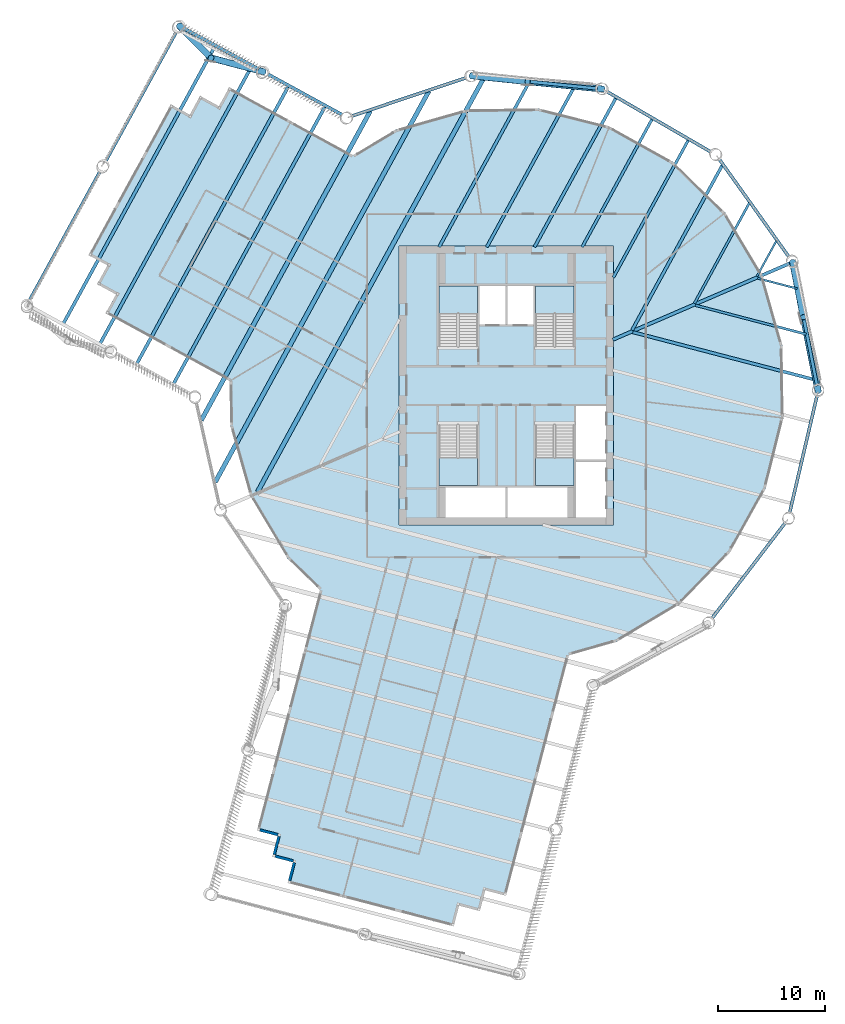
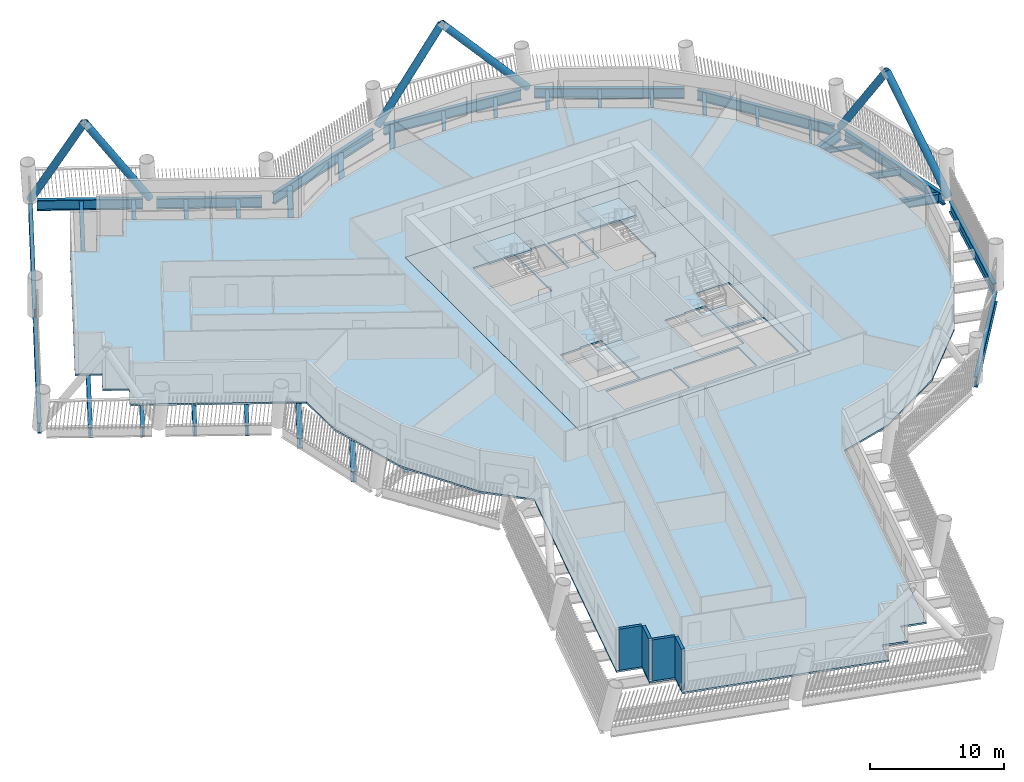
# One storey, part 2 of 24: 30 beams, 6 members, 6 slabs, 4 walls, 4 elements without a shape of their own.
"""IFC4 building model written with IfcOpenShell, lengths in metres."""

from ifc_helpers import new_model, si_unit, direction, frame, frame_2d, origin, origin_2d, place, context, subcontext, project, spatial, polyline, rectangle, hollow_circle, i_section, outline, extrude, material, layer, layer_set, material_profile, profile_set, type_object, element, aggregate, save


model = new_model("IFC4")

# Units and contexts
model_context = context("Model", 3, precision=1e-05, world=origin(), true_north=direction((0.0, 1.0)))
body_context = subcontext(model_context, "Body", "Model", "MODEL_VIEW")
ifc_project = project(units=[si_unit("LENGTHUNIT", "METRE"), si_unit("AREAUNIT", "SQUARE_METRE"), si_unit("VOLUMEUNIT", "CUBIC_METRE"), si_unit("PLANEANGLEUNIT", "RADIAN"), si_unit("MASSUNIT", "GRAM", prefix="KILO")], contexts=[model_context])

# Site, building, storey
site_placement = place(None, origin())
site = spatial("IfcSite", under=ifc_project, at=site_placement, CompositionType="ELEMENT")
building_placement = place(site_placement, origin())
building = spatial("IfcBuilding", under=site, at=building_placement, Name="Tarsis Ring Headquarters", CompositionType="ELEMENT")
storey_placement = place(building_placement, frame((0.0, 0.0, 163.199951171875)))
storey = spatial("IfcBuildingStorey", under=building, at=storey_placement, Name="L37", CompositionType="ELEMENT", Elevation=163.199951171875)

# Beams
ifc_material_1 = material(Name="Structural steel S355", Category="steel")
ifc_material_profile_1 = material_profile(ifc_material_1, i_section(OverallWidth=0.177734375, OverallDepth=0.406494140625, WebThickness=0.0078125, FlangeThickness=0.0126953125, at=origin_2d()), Name="W16x40")
ifc_profile_set_1 = profile_set([ifc_material_profile_1], Name="Structural steel S355")
beam_type_1 = type_object("IfcBeamType", Name="FB Floor beam W16x40", PredefinedType="JOIST", material=ifc_profile_set_1)
beam_1_placement = place(storey_placement, frame((23.411865234375, 10.00048828125, -0.363037109375), z_axis=(0.967439206618, -0.253103499576, 0.0), x_axis=(0.253103499576, 0.967439206618, 0.0)))
element("IfcBeam", 1, at=beam_1_placement, inside=storey, type_object=beam_type_1, Name="Floor beam FB1", PredefinedType="JOIST", context=body_context, shape_type="SweptSolid", body=[
    extrude(i_section(OverallWidth=0.177734375, OverallDepth=0.406494140625, WebThickness=0.0078125, FlangeThickness=0.0126953125, at=origin_2d()), origin(), (0.0, 0.0, 1.0), 3.805419921875),
])
beam_2_placement = place(storey_placement, frame((25.162841796875, 13.510986328125, -0.363037109375), z_axis=(-0.479584678319, -0.877495604731, 0.0), x_axis=(0.877495604731, -0.479584678319, 0.0)))
element("IfcBeam", 2, at=beam_2_placement, inside=storey, type_object=beam_type_1, Name="Floor beam FB1", PredefinedType="JOIST", context=body_context, shape_type="SweptSolid", body=[
    extrude(i_section(OverallWidth=0.177734375, OverallDepth=0.406494140625, WebThickness=0.0078125, FlangeThickness=0.0126953125, at=origin_2d()), origin(), (0.0, 0.0, 1.0), 3.80517578125),
])
ifc_material_profile_2 = material_profile(ifc_material_1, i_section(OverallWidth=0.228271484375, OverallDepth=0.607177734375, WebThickness=0.01123046875, FlangeThickness=0.017333984375, at=origin_2d()), Name="W24x76")
ifc_profile_set_2 = profile_set([ifc_material_profile_2], Name="Structural steel S355")
beam_type_2 = type_object("IfcBeamType", Name="FB Floor beam W24x76", PredefinedType="JOIST", material=ifc_profile_set_2)
beam_3_placement = place(storey_placement, frame((17.595703125, 7.49072265625, -0.463623046875), z_axis=(0.967443789319, -0.253085982439, 0.0), x_axis=(0.253085982439, 0.967443789319, 0.0)))
element("IfcBeam", 3, at=beam_3_placement, inside=storey, type_object=beam_type_2, Name="Floor beam FB4", PredefinedType="JOIST", context=body_context, shape_type="SweptSolid", body=[
    extrude(i_section(OverallWidth=0.228271484375, OverallDepth=0.607177734375, WebThickness=0.01123046875, FlangeThickness=0.017333984375, at=origin_2d()), origin(), (0.0, 0.0, 1.0), 10.6845703125),
])
beam_4_placement = place(storey_placement, frame((22.64599609375, 17.037841796875, -0.463623046875), z_axis=(-0.479607582329, -0.877483086431, 0.0), x_axis=(0.877483086431, -0.479607582329, 0.0)))
element("IfcBeam", 4, at=beam_4_placement, inside=storey, type_object=beam_type_2, Name="Floor beam FB4", PredefinedType="JOIST", context=body_context, shape_type="SweptSolid", body=[
    extrude(i_section(OverallWidth=0.228271484375, OverallDepth=0.607177734375, WebThickness=0.01123046875, FlangeThickness=0.017333984375, at=origin_2d()), origin(), (0.0, 0.0, 1.0), 10.684814453125),
])
ifc_material_profile_3 = material_profile(ifc_material_1, i_section(OverallWidth=0.2666015625, OverallDepth=0.7568359375, WebThickness=0.013916015625, FlangeThickness=0.019287109375, at=origin_2d()), Name="W30x108")
ifc_profile_set_3 = profile_set([ifc_material_profile_3], Name="Structural steel S355")
beam_type_3 = type_object("IfcBeamType", Name="FB Floor beam W30x108", PredefinedType="JOIST", material=ifc_profile_set_3)
beam_5_placement = place(storey_placement, frame((16.970703125, 22.91748046875, -0.538330078125), z_axis=(-0.479607051819, -0.877483376393, 0.0), x_axis=(0.877483376393, -0.479607051819, 0.0)))
element("IfcBeam", 5, at=beam_5_placement, inside=storey, type_object=beam_type_3, Name="Floor beam FB6", PredefinedType="JOIST", context=body_context, shape_type="SweptSolid", body=[
    extrude(i_section(OverallWidth=0.2666015625, OverallDepth=0.7568359375, WebThickness=0.013916015625, FlangeThickness=0.019287109375, at=origin_2d()), origin(), (0.0, 0.0, 1.0), 14.634033203125),
])
beam_6_placement = place(storey_placement, frame((13.596923828125, 24.876708984375, -0.538330078125), z_axis=(-0.479603423227, -0.877485359666, 0.0), x_axis=(0.877485359666, -0.479603423227, 0.0)))
element("IfcBeam", 6, at=beam_6_placement, inside=storey, type_object=beam_type_3, Name="Floor beam FB6", PredefinedType="JOIST", context=body_context, shape_type="SweptSolid", body=[
    extrude(i_section(OverallWidth=0.2666015625, OverallDepth=0.7568359375, WebThickness=0.013916015625, FlangeThickness=0.019287109375, at=origin_2d()), origin(), (0.0, 0.0, 1.0), 13.634765625),
])
ifc_material_profile_4 = material_profile(ifc_material_1, i_section(OverallWidth=0.2919921875, OverallDepth=0.835693359375, WebThickness=0.013916015625, FlangeThickness=0.018798828125, at=origin_2d()), Name="W33x118")
ifc_profile_set_4 = profile_set([ifc_material_profile_4], Name="Structural steel S355")
beam_type_4 = type_object("IfcBeamType", Name="FB Floor beam W33x118", PredefinedType="JOIST", material=ifc_profile_set_4)
for number, where, z_axis, x_axis, name in (
    (7, (11.779296875, 4.98095703125, -0.577880859375), (0.967446562719, -0.253075380633, 0.0), (0.253075380633, 0.967446562719, 0.0), "Floor beam FB7"),
    (8, (20.12939453125, 20.564697265625, -0.577880859375), (-0.47961839419, -0.877477176885, 0.0), (0.877477176885, -0.47961839419, 0.0), "Floor beam FB7"),
):
    element("IfcBeam", number, at=place(storey_placement, frame(where, z_axis=z_axis, x_axis=x_axis)), inside=storey, type_object=beam_type_4, Name=name, PredefinedType="JOIST", context=body_context, shape_type="SweptSolid", body=[
        extrude(i_section(OverallWidth=0.2919921875, OverallDepth=0.835693359375, WebThickness=0.013916015625, FlangeThickness=0.018798828125, at=origin_2d()), origin(), (0.0, 0.0, 1.0), 17.564208984375),
    ])
beam_7_placement = place(storey_placement, frame((10.223388671875, 26.8359375, -0.577880859375), z_axis=(-0.479613019734, -0.877480114476, 0.0), x_axis=(0.877480114476, -0.479613019734, 0.0)))
element("IfcBeam", 9, at=beam_7_placement, inside=storey, type_object=beam_type_4, Name="Floor beam FB7", PredefinedType="JOIST", context=body_context, shape_type="SweptSolid", body=[
    extrude(i_section(OverallWidth=0.2919921875, OverallDepth=0.835693359375, WebThickness=0.013916015625, FlangeThickness=0.018798828125, at=origin_2d()), origin(), (0.0, 0.0, 1.0), 15.86767578125),
])
beam_8_placement = place(storey_placement, frame((6.325439453125, 27.835693359375, -0.577880859375), z_axis=(-0.479621366847, -0.87747555206, 0.0), x_axis=(0.87747555206, -0.479621366847, 0.0)))
element("IfcBeam", 10, at=beam_8_placement, inside=storey, type_object=beam_type_4, Name="Floor beam FB7", PredefinedType="JOIST", context=body_context, shape_type="SweptSolid", body=[
    extrude(i_section(OverallWidth=0.2919921875, OverallDepth=0.835693359375, WebThickness=0.013916015625, FlangeThickness=0.018798828125, at=origin_2d()), origin(), (0.0, 0.0, 1.0), 17.007080078125),
])
beam_9_placement = place(storey_placement, frame((2.11474609375, 28.263671875, -0.577880859375), z_axis=(-0.479619472797, -0.877476587331, 0.0), x_axis=(0.877476587331, -0.479619472797, 0.0)))
element("IfcBeam", 11, at=beam_9_placement, inside=storey, type_object=beam_type_4, Name="Floor beam FB7", PredefinedType="JOIST", context=body_context, shape_type="SweptSolid", body=[
    extrude(i_section(OverallWidth=0.2919921875, OverallDepth=0.835693359375, WebThickness=0.013916015625, FlangeThickness=0.018798828125, at=origin_2d()), origin(), (0.0, 0.0, 1.0), 17.494873046875),
])
ifc_material_profile_5 = material_profile(ifc_material_1, i_section(OverallWidth=0.309814453125, OverallDepth=0.949951171875, WebThickness=0.0244140625, FlangeThickness=0.0439453125, at=origin_2d()), Name="W36x256")
ifc_profile_set_5 = profile_set([ifc_material_profile_5], Name="Structural steel S355")
beam_type_5 = type_object("IfcBeamType", Name="FB Floor beam W36x256", PredefinedType="JOIST", material=ifc_profile_set_5)
beam_10_placement = place(storey_placement, frame((-16.88330078125, 26.031982421875, -0.635009765625), z_axis=(-0.479608898438, -0.877482367082, 0.0), x_axis=(0.877482367082, -0.479608898438, 0.0)))
element("IfcBeam", 12, at=beam_10_placement, inside=storey, type_object=beam_type_5, Name="Floor beam FB11", PredefinedType="JOIST", context=body_context, shape_type="SweptSolid", body=[
    extrude(i_section(OverallWidth=0.309814453125, OverallDepth=0.949951171875, WebThickness=0.0244140625, FlangeThickness=0.0439453125, at=origin_2d()), origin(), (0.0, 0.0, 1.0), 29.490234375),
])
beam_11_placement = place(storey_placement, frame((-20.305419921875, 27.90234375, -0.635009765625), z_axis=(-0.479612382529, -0.877480462759, 0.0), x_axis=(0.877480462759, -0.479612382529, 0.0)))
element("IfcBeam", 13, at=beam_11_placement, inside=storey, type_object=beam_type_5, Name="Floor beam FB11", PredefinedType="JOIST", context=body_context, shape_type="SweptSolid", body=[
    extrude(i_section(OverallWidth=0.309814453125, OverallDepth=0.949951171875, WebThickness=0.0244140625, FlangeThickness=0.0439453125, at=origin_2d()), origin(), (0.0, 0.0, 1.0), 29.489990234375),
])
beam_12_placement = place(storey_placement, frame((-23.727783203125, 29.77294921875, -0.635009765625), z_axis=(-0.479608898438, -0.877482367082, 0.0), x_axis=(0.877482367082, -0.479608898438, 0.0)))
element("IfcBeam", 14, at=beam_12_placement, inside=storey, type_object=beam_type_5, Name="Floor beam FB11", PredefinedType="JOIST", context=body_context, shape_type="SweptSolid", body=[
    extrude(i_section(OverallWidth=0.309814453125, OverallDepth=0.949951171875, WebThickness=0.0244140625, FlangeThickness=0.0439453125, at=origin_2d()), origin(), (0.0, 0.0, 1.0), 29.490234375),
])
beam_13_placement = place(storey_placement, frame((-27.14990234375, 31.643310546875, -0.635009765625), z_axis=(-0.479612382529, -0.877480462759, 0.0), x_axis=(0.877480462759, -0.479612382529, 0.0)))
element("IfcBeam", 15, at=beam_13_placement, inside=storey, type_object=beam_type_5, Name="Floor beam FB11", PredefinedType="JOIST", context=body_context, shape_type="SweptSolid", body=[
    extrude(i_section(OverallWidth=0.309814453125, OverallDepth=0.949951171875, WebThickness=0.0244140625, FlangeThickness=0.0439453125, at=origin_2d()), origin(), (0.0, 0.0, 1.0), 29.489990234375),
])
beam_type_6 = type_object("IfcBeamType", Name="FB Floor beam W36x256 spine", PredefinedType="BEAM", material=ifc_profile_set_5)
beam_14_placement = place(storey_placement, frame((26.61767578125, 11.4853515625, -0.635009765625), z_axis=(-0.918172175666, -0.396181594515, 0.0), x_axis=(0.396181594515, -0.918172175666, 0.0)))
element("IfcBeam", 16, at=beam_14_placement, inside=storey, type_object=beam_type_6, Name="Floor beam SB11", PredefinedType="BEAM", context=body_context, shape_type="SweptSolid", body=[
    extrude(i_section(OverallWidth=0.309814453125, OverallDepth=0.949951171875, WebThickness=0.0244140625, FlangeThickness=0.0439453125, at=origin_2d()), origin(), (0.0, 0.0, 1.0), 18.19873046875),
])
ifc_material_profile_6 = material_profile(ifc_material_1, i_section(OverallWidth=0.42431640625, OverallDepth=0.947509765625, WebThickness=0.02392578125, FlangeThickness=0.042724609375, at=origin_2d()), Name="W36x302")
ifc_profile_set_6 = profile_set([ifc_material_profile_6], Name="Structural steel S355")
beam_type_7 = type_object("IfcBeamType", Name="FB Floor beam W36x302", PredefinedType="JOIST", material=ifc_profile_set_6)
beam_15_placement = place(storey_placement, frame((-2.095947265625, 28.691650390625, -0.633544921875), z_axis=(-0.479610651869, -0.8774814087, 0.0), x_axis=(0.8774814087, -0.479610651869, 0.0)))
element("IfcBeam", 17, at=beam_15_placement, inside=storey, type_object=beam_type_7, Name="Floor beam FB12", PredefinedType="JOIST", context=body_context, shape_type="SweptSolid", body=[
    extrude(i_section(OverallWidth=0.42431640625, OverallDepth=0.947509765625, WebThickness=0.02392578125, FlangeThickness=0.042724609375, at=origin_2d()), origin(), (0.0, 0.0, 1.0), 43.986572265625),
])
beam_16_placement = place(storey_placement, frame((-7.227783203125, 27.43408203125, -0.633544921875), z_axis=(-0.479611985184, -0.87748067994, 0.0), x_axis=(0.87748067994, -0.479611985184, 0.0)))
element("IfcBeam", 18, at=beam_16_placement, inside=storey, type_object=beam_type_7, Name="Floor beam FB12", PredefinedType="JOIST", context=body_context, shape_type="SweptSolid", body=[
    extrude(i_section(OverallWidth=0.42431640625, OverallDepth=0.947509765625, WebThickness=0.02392578125, FlangeThickness=0.042724609375, at=origin_2d()), origin(), (0.0, 0.0, 1.0), 41.523681640625),
])
beam_17_placement = place(storey_placement, frame((-12.669921875, 25.609130859375, -0.633544921875), z_axis=(-0.479607961863, -0.877482878988, 0.0), x_axis=(0.877482878988, -0.479607961863, 0.0)))
element("IfcBeam", 19, at=beam_17_placement, inside=storey, type_object=beam_type_7, Name="Floor beam FB12", PredefinedType="JOIST", context=body_context, shape_type="SweptSolid", body=[
    extrude(i_section(OverallWidth=0.42431640625, OverallDepth=0.947509765625, WebThickness=0.02392578125, FlangeThickness=0.042724609375, at=origin_2d()), origin(), (0.0, 0.0, 1.0), 32.87548828125),
])

# Members
ifc_material_profile_7 = material_profile(ifc_material_1, hollow_circle(Radius=0.3046875, WallThickness=0.02490234375, at=origin_2d()), Name="CHS 610x25")
ifc_profile_set_7 = profile_set([ifc_material_profile_7], Name="Structural steel S355")
member_type = type_object("IfcMemberType", Name="XD X brace CHS 610x25", PredefinedType="BRACE", material=ifc_profile_set_7)
member_1_placement = place(storey_placement, frame((29.044189453125, -0.50830078125, 0.0), z_axis=(-0.130871913254, 0.655848862582, 0.743461372077), x_axis=(-0.980666231753, -0.195687868556, 0.0)))
element("IfcMember", 20, at=member_1_placement, inside=storey, type_object=member_type, Name="X brace XD1", PredefinedType="BRACE", context=body_context, shape_type="SweptSolid", body=[
    extrude(hollow_circle(Radius=0.3046875, WallThickness=0.02490234375, at=origin_2d()), origin(), (0.0, 0.0, 1.0), 10.491455078125),
])
member_2_placement = place(storey_placement, frame((26.67138671875, 11.508544921875, 0.0), z_axis=(0.106442191107, -0.546819139026, 0.830457036304), x_axis=(0.981576272216, 0.191070724662, 0.0)))
element("IfcMember", 21, at=member_2_placement, inside=storey, type_object=member_type, Name="X brace XD1", PredefinedType="BRACE", context=body_context, shape_type="SweptSolid", body=[
    extrude(hollow_circle(Radius=0.3046875, WallThickness=0.02490234375, at=origin_2d()), origin(), (0.0, 0.0, 1.0), 9.392578125),
])
member_3_placement = place(storey_placement, frame((8.96435546875, 27.630615234375, 0.0), z_axis=(-0.665470652912, 0.066298069383, 0.743473857044), x_axis=(-0.099135076569, -0.995073985487, 0.0)))
element("IfcMember", 22, at=member_3_placement, inside=storey, type_object=member_type, Name="X brace XD1", PredefinedType="BRACE", context=body_context, shape_type="SweptSolid", body=[
    extrude(hollow_circle(Radius=0.3046875, WallThickness=0.02490234375, at=origin_2d()), origin(), (0.0, 0.0, 1.0), 10.491455078125),
])
member_4_placement = place(storey_placement, frame((-3.2216796875, 28.869384765625, 0.0), z_axis=(0.554089615464, -0.057834094591, 0.830445612631), x_axis=(0.103812825207, 0.994596851655, 0.0)))
element("IfcMember", 23, at=member_4_placement, inside=storey, type_object=member_type, Name="X brace XD1", PredefinedType="BRACE", context=body_context, shape_type="SweptSolid", body=[
    extrude(hollow_circle(Radius=0.3046875, WallThickness=0.02490234375, at=origin_2d()), origin(), (0.0, 0.0, 1.0), 9.392578125),
])
member_5_placement = place(storey_placement, frame((-22.646484375, 29.244384765625, 0.0), z_axis=(-0.525143572803, 0.138375502268, 0.839688304263), x_axis=(-0.254802968083, -0.966992992454, 0.0)))
element("IfcMember", 24, at=member_5_placement, inside=storey, type_object=member_type, Name="X brace XD1", PredefinedType="BRACE", context=body_context, shape_type="SweptSolid", body=[
    extrude(hollow_circle(Radius=0.3046875, WallThickness=0.02490234375, at=origin_2d()), origin(), (0.0, 0.0, 1.0), 9.289306640625),
])
member_6_placement = place(storey_placement, frame((-30.4580078125, 33.51416015625, 0.0), z_axis=(0.331389962412, -0.337154465295, 0.881196663262), x_axis=(0.71317727594, 0.70098371813, 0.0)))
element("IfcMember", 25, at=member_6_placement, inside=storey, type_object=member_type, Name="X brace XD1", PredefinedType="BRACE", context=body_context, shape_type="SweptSolid", body=[
    extrude(hollow_circle(Radius=0.3046875, WallThickness=0.02490234375, at=origin_2d()), origin(), (0.0, 0.0, 1.0), 8.8515625),
])

# Beams
beam_type_8 = type_object("IfcBeamType", Name="XG Ring girder W36x256", PredefinedType="BEAM", material=ifc_profile_set_5)
for number, where, z_axis, x_axis, name in (
    (26, (19.099365234375, -21.75146484375, -0.474853515625), (0.608991661314, 0.793176623741, 0.0), (-0.793176623741, 0.608991661314, 0.0), "Ring girder XG2"),
    (27, (26.3671875, -11.945068359375, -0.474853515625), (0.227895417892, 0.973685615845, 0.0), (-0.973685615845, 0.227895417892, 0.0), "Ring girder XG2"),
):
    element("IfcBeam", number, at=place(storey_placement, frame(where, z_axis=z_axis, x_axis=x_axis)), inside=storey, type_object=beam_type_8, Name=name, PredefinedType="BEAM", context=body_context, shape_type="SweptSolid", body=[
        extrude(i_section(OverallWidth=0.309814453125, OverallDepth=0.949951171875, WebThickness=0.0244140625, FlangeThickness=0.0439453125, at=origin_2d()), origin(), (0.0, 0.0, 1.0), 11.2431640625),
    ])
beam_18_placement = place(storey_placement, frame((28.946533203125, -0.014892578125, -0.474853515625), z_axis=(-0.193697658975, 0.98106127072, 0.0), x_axis=(-0.98106127072, -0.193697658975, 0.0)))
element("IfcBeam", 28, at=beam_18_placement, inside=storey, type_object=beam_type_8, Name="Ring girder XG2", PredefinedType="BEAM", context=body_context, shape_type="SweptSolid", body=[
    extrude(i_section(OverallWidth=0.309814453125, OverallDepth=0.949951171875, WebThickness=0.0244140625, FlangeThickness=0.0439453125, at=origin_2d()), origin(), (0.0, 0.0, 1.0), 11.242919921875),
])
beam_19_placement = place(storey_placement, frame((26.37939453125, 11.91796875, -0.474853515625), z_axis=(-0.580868396827, 0.813997484989, 0.0), x_axis=(-0.813997484989, -0.580868396827, 0.0)))
element("IfcBeam", 29, at=beam_19_placement, inside=storey, type_object=beam_type_8, Name="Ring girder XG2", PredefinedType="BEAM", context=body_context, shape_type="SweptSolid", body=[
    extrude(i_section(OverallWidth=0.309814453125, OverallDepth=0.949951171875, WebThickness=0.0244140625, FlangeThickness=0.0439453125, at=origin_2d()), origin(), (0.0, 0.0, 1.0), 11.2431640625),
])
for number, where, z_axis, x_axis, name in (
    (30, (19.12158203125, 21.731689453125, -0.474853515625), (-0.864736623015, 0.502225619434, 0.0), (-0.502225619434, -0.864736623015, 0.0), "Ring girder XG2"),
    (31, (8.464111328125, 27.681640625, -0.474853515625), (-0.994875725519, 0.101105344931, 0.0), (-0.101105344931, -0.994875725519, 0.0), "Ring girder XG2"),
):
    element("IfcBeam", number, at=place(storey_placement, frame(where, z_axis=z_axis, x_axis=x_axis)), inside=storey, type_object=beam_type_8, Name=name, PredefinedType="BEAM", context=body_context, shape_type="SweptSolid", body=[
        extrude(i_section(OverallWidth=0.309814453125, OverallDepth=0.949951171875, WebThickness=0.0244140625, FlangeThickness=0.0439453125, at=origin_2d()), origin(), (0.0, 0.0, 1.0), 11.242919921875),
    ])
beam_20_placement = place(storey_placement, frame((-3.698486328125, 28.70947265625, -0.474853515625), z_axis=(-0.948108470357, -0.317947052883, 0.0), x_axis=(0.317947052883, -0.948108470357, 0.0)))
element("IfcBeam", 32, at=beam_20_placement, inside=storey, type_object=beam_type_8, Name="Ring girder XG2", PredefinedType="BEAM", context=body_context, shape_type="SweptSolid", body=[
    extrude(i_section(OverallWidth=0.309814453125, OverallDepth=0.949951171875, WebThickness=0.0244140625, FlangeThickness=0.0439453125, at=origin_2d()), origin(), (0.0, 0.0, 1.0), 11.2431640625),
])
for number, where, z_axis, x_axis, name in (
    (33, (-15.276123046875, 25.216064453125, -0.474853515625), (-0.877486425167, 0.479601473775, 0.0), (-0.479601473775, -0.877486425167, 0.0), "Ring girder XG2"),
    (34, (-23.087646484375, 29.485595703125, -0.474853515625), (-0.87747341335, 0.479625279634, 0.0), (-0.479625279634, -0.87747341335, 0.0), "Ring girder XG2"),
):
    element("IfcBeam", number, at=place(storey_placement, frame(where, z_axis=z_axis, x_axis=x_axis)), inside=storey, type_object=beam_type_8, Name=name, PredefinedType="BEAM", context=body_context, shape_type="SweptSolid", body=[
        extrude(i_section(OverallWidth=0.309814453125, OverallDepth=0.949951171875, WebThickness=0.0244140625, FlangeThickness=0.0439453125, at=origin_2d()), origin(), (0.0, 0.0, 1.0), 7.896484375),
    ])
beam_21_placement = place(storey_placement, frame((-30.69921875, 33.07275390625, -0.474853515625), z_axis=(-0.47960838929, -0.877482645369, 0.0), x_axis=(0.877482645369, -0.47960838929, 0.0)))
element("IfcBeam", 35, at=beam_21_placement, inside=storey, type_object=beam_type_8, Name="Ring girder XG2", PredefinedType="BEAM", context=body_context, shape_type="SweptSolid", body=[
    extrude(i_section(OverallWidth=0.309814453125, OverallDepth=0.949951171875, WebThickness=0.0244140625, FlangeThickness=0.0439453125, at=origin_2d()), origin(), (0.0, 0.0, 1.0), 13.7939453125),
])
beam_22_placement = place(storey_placement, frame((-37.79736328125, 20.0859375, -0.474853515625), z_axis=(-0.479622016943, -0.877475196723, 0.0), x_axis=(0.877475196723, -0.479622016943, 0.0)))
element("IfcBeam", 36, at=beam_22_placement, inside=storey, type_object=beam_type_8, Name="Ring girder XG2", PredefinedType="BEAM", context=body_context, shape_type="SweptSolid", body=[
    extrude(i_section(OverallWidth=0.309814453125, OverallDepth=0.949951171875, WebThickness=0.0244140625, FlangeThickness=0.0439453125, at=origin_2d()), origin(), (0.0, 0.0, 1.0), 13.794189453125),
])

# Slab
ifc_material_2 = material(Name="Concrete C40/50", Category="concrete")
ifc_layer_1 = layer(ifc_material_2, 0.159912109375)
ifc_layer_set_1 = layer_set([ifc_layer_1], Name="Core floor slab 160 C40/50")
slab_type_1 = type_object("IfcSlabType", Name="Core floor slab 160 C40/50", PredefinedType="FLOOR", material=ifc_layer_set_1)
slab_1_placement = place(storey_placement, frame((0.0, 0.0, -0.159912109375)))
element("IfcSlab", 37, at=slab_1_placement, inside=storey, type_object=slab_type_1, Name="L37 core floor slab", PredefinedType="FLOOR", context=body_context, shape_type="SweptSolid", body=[
    extrude(outline(polyline([(-10.0, -13.0), (10.0, -13.0), (10.0, 13.0), (-10.0, 13.0), (-10.0, -13.0)]), holes=[polyline([(-2.5, 5.699951171875), (-0.10009765625, 5.699951171875), (-0.10009765625, 9.300048828125), (-2.5, 9.300048828125), (-2.5, 5.699951171875)]), polyline([(0.10009765625, 5.699951171875), (2.5, 5.699951171875), (2.5, 9.300048828125), (0.10009765625, 9.300048828125), (0.10009765625, 5.699951171875)]), polyline([(6.5, -12.300048828125), (9.300048828125, -12.300048828125), (9.300048828125, -7.10009765625), (6.5, -7.10009765625), (6.5, -12.300048828125)]), polyline([(6.5, -6.89990234375), (9.300048828125, -6.89990234375), (9.300048828125, -1.89990234375), (6.5, -1.89990234375), (6.5, -6.89990234375)]), polyline([(-5.699951171875, -12.300048828125), (-0.10009765625, -12.300048828125), (-0.10009765625, -9.5), (-5.699951171875, -9.5), (-5.699951171875, -12.300048828125)]), polyline([(0.10009765625, -12.300048828125), (5.699951171875, -12.300048828125), (5.699951171875, -9.5), (0.10009765625, -9.5), (0.10009765625, -12.300048828125)]), polyline([(-2.699951171875, 3.760009765625), (-2.699951171875, 9.300048828125), (-6.300048828125, 9.300048828125), (-6.300048828125, 3.659912109375), (-4.4599609375, 3.659912109375), (-4.4599609375, 3.760009765625), (-2.699951171875, 3.760009765625)]), polyline([(6.300048828125, 3.760009765625), (6.300048828125, 9.300048828125), (2.699951171875, 9.300048828125), (2.699951171875, 3.659912109375), (4.5400390625, 3.659912109375), (4.5400390625, 3.760009765625), (6.300048828125, 3.760009765625)]), polyline([(-6.300048828125, -3.760009765625), (-6.300048828125, -9.300048828125), (-2.699951171875, -9.300048828125), (-2.699951171875, -3.659912109375), (-4.5400390625, -3.659912109375), (-4.5400390625, -3.760009765625), (-6.300048828125, -3.760009765625)]), polyline([(2.699951171875, -3.760009765625), (2.699951171875, -9.300048828125), (6.300048828125, -9.300048828125), (6.300048828125, -3.659912109375), (4.4599609375, -3.659912109375), (4.4599609375, -3.760009765625), (2.699951171875, -3.760009765625)])]), origin(), (0.0, 0.0, 1.0), 0.159912109375),
])

# Stair, slab
ifc_material_3 = material(Name="Core stair 1760")
stair_type = type_object("IfcStairType", Name="Core stair 1760", PredefinedType="HALF_TURN_STAIR", material=ifc_material_3)
stair_1_placement = place(storey_placement, origin())
stair_1 = element("IfcStair", 38, at=stair_1_placement, inside=storey, type_object=stair_type, Name="L37 Firefighting stair", PredefinedType="HALF_TURN_STAIR")
ifc_layer_2 = layer(ifc_material_2, 0.199951171875)
ifc_layer_set_2 = layer_set([ifc_layer_2], Name="Core stair landing 200")
slab_type_2 = type_object("IfcSlabType", Name="Core stair landing 200", PredefinedType="LANDING", material=ifc_layer_set_2)
slab_2_placement = place(storey_placement, frame((0.0, 0.0, 1.75)))
slab_2 = element("IfcSlab", 39, at=slab_2_placement, type_object=slab_type_2, Name="Stair ST1 landing 1", PredefinedType="LANDING", context=body_context, shape_type="SweptSolid", body=[
    extrude(outline(polyline([(-2.699951171875, 6.739990234375), (-2.699951171875, 9.300048828125), (-6.300048828125, 9.300048828125), (-6.300048828125, 6.739990234375), (-2.699951171875, 6.739990234375)])), origin(), (0.0, 0.0, 1.0), 0.199951171875),
])
aggregate(stair_1, [slab_2])

stair_2_placement = place(storey_placement, origin())
stair_2 = element("IfcStair", 40, at=stair_2_placement, inside=storey, type_object=stair_type, Name="L37 Exit stair B", PredefinedType="HALF_TURN_STAIR")
slab_3_placement = place(storey_placement, frame((0.0, 0.0, 1.75)))
slab_3 = element("IfcSlab", 41, at=slab_3_placement, type_object=slab_type_2, Name="Stair ST2 landing 1", PredefinedType="LANDING", context=body_context, shape_type="SweptSolid", body=[
    extrude(outline(polyline([(6.300048828125, 6.739990234375), (6.300048828125, 9.300048828125), (2.699951171875, 9.300048828125), (2.699951171875, 6.739990234375), (6.300048828125, 6.739990234375)])), origin(), (0.0, 0.0, 1.0), 0.199951171875),
])
aggregate(stair_2, [slab_3])

stair_3_placement = place(storey_placement, origin())
stair_3 = element("IfcStair", 42, at=stair_3_placement, inside=storey, type_object=stair_type, Name="L37 Exit stair C", PredefinedType="HALF_TURN_STAIR")
slab_4_placement = place(storey_placement, frame((0.0, 0.0, 1.75)))
slab_4 = element("IfcSlab", 43, at=slab_4_placement, type_object=slab_type_2, Name="Stair ST3 landing 1", PredefinedType="LANDING", context=body_context, shape_type="SweptSolid", body=[
    extrude(outline(polyline([(-6.300048828125, -6.739990234375), (-6.300048828125, -9.300048828125), (-2.699951171875, -9.300048828125), (-2.699951171875, -6.739990234375), (-6.300048828125, -6.739990234375)])), origin(), (0.0, 0.0, 1.0), 0.199951171875),
])
aggregate(stair_3, [slab_4])

stair_4_placement = place(storey_placement, origin())
stair_4 = element("IfcStair", 44, at=stair_4_placement, inside=storey, type_object=stair_type, Name="L37 Exit stair D", PredefinedType="HALF_TURN_STAIR")
slab_5_placement = place(storey_placement, frame((0.0, 0.0, 1.75)))
slab_5 = element("IfcSlab", 45, at=slab_5_placement, type_object=slab_type_2, Name="Stair ST4 landing 1", PredefinedType="LANDING", context=body_context, shape_type="SweptSolid", body=[
    extrude(outline(polyline([(2.699951171875, -6.739990234375), (2.699951171875, -9.300048828125), (6.300048828125, -9.300048828125), (6.300048828125, -6.739990234375), (2.699951171875, -6.739990234375)])), origin(), (0.0, 0.0, 1.0), 0.199951171875),
])
aggregate(stair_4, [slab_5])

# Slab
ifc_material_4 = material(Name="Concrete C35/45", Category="concrete")
ifc_layer_3 = layer(ifc_material_4, 0.159912109375)
ifc_layer_set_3 = layer_set([ifc_layer_3], Name="FS Composite floor slab 160")
slab_type_3 = type_object("IfcSlabType", Name="FS Composite floor slab 160", PredefinedType="FLOOR", material=ifc_layer_set_3)
slab_6_placement = place(storey_placement, frame((0.0, 0.0, -0.159912109375)))
element("IfcSlab", 46, at=slab_6_placement, inside=storey, type_object=slab_type_3, Name="Floor slab L37", PredefinedType="FLOOR", context=body_context, shape_type="SweptSolid", body=[
    extrude(outline(polyline([(-25.786376953125, 0.418701171875), (-25.72509765625, -3.771240234375), (-23.872314453125, -10.30078125), (-20.392822265625, -16.12841796875), (-17.38671875, -19.0478515625), (-23.251220703125, -41.465576171875), (-21.316162109375, -41.9716796875), (-21.822509765625, -43.906494140625), (-19.887451171875, -44.41259765625), (-20.393798828125, -46.34765625), (-4.91455078125, -50.39697265625), (-4.408447265625, -48.4619140625), (-2.4736328125, -48.96826171875), (-1.96728515625, -47.033203125), (-0.032470703125, -47.53955078125), (5.82666015625, -25.141845703125), (10.30078125, -23.872314453125), (16.12841796875, -20.392822265625), (20.85693359375, -15.523681640625), (24.1640625, -9.596435546875), (25.824462890625, -3.015380859375), (25.72509765625, 3.771240234375), (23.872314453125, 10.30078125), (20.392822265625, 16.12841796875), (15.523681640625, 20.85693359375), (9.596435546875, 24.1640625), (3.015380859375, 25.824462890625), (-3.771240234375, 25.72509765625), (-10.30078125, 23.872314453125), (-14.2939453125, 21.48828125), (-25.833984375, 27.795654296875), (-26.793212890625, 26.040771484375), (-28.548095703125, 27.0), (-29.50732421875, 25.2451171875), (-31.262451171875, 26.204345703125), (-38.93603515625, 12.16455078125), (-37.18115234375, 11.205322265625), (-38.140380859375, 9.450439453125), (-36.385498046875, 8.4912109375), (-37.3447265625, 6.736328125), (-25.786376953125, 0.418701171875)]), holes=[polyline([(-10.0, -13.0), (-10.0, 13.0), (10.0, 13.0), (10.0, -13.0), (-10.0, -13.0)])]), origin(), (0.0, 0.0, 1.0), 0.159912109375),
])

# Walls
ifc_material_5 = material(Name="Terracotta clad insulated panel wall", Category="masonry")
ifc_layer_4 = layer(ifc_material_5, 0.25)
ifc_layer_set_4 = layer_set([ifc_layer_4], Name="Facade wall terracotta panel 250")
wall_type = type_object("IfcWallType", Name="Facade wall terracotta panel 250", PredefinedType="STANDARD", material=ifc_layer_set_4)
wall_1_placement = place(storey_placement, frame((-22.9775390625, -41.40771484375, 0.0), z_axis=(0.0, 0.0, 1.0), x_axis=(0.967442206255, -0.253092033768, 0.0)))
element("IfcWall", 47, at=wall_1_placement, inside=storey, type_object=wall_type, Name="External wall L37-07", PredefinedType="STANDARD", context=body_context, shape_type="SweptSolid", body=[
    extrude(rectangle(XDim=1.749755859375, YDim=0.25, at=frame_2d((0.875, 0.0))), origin(), (0.0, 0.0, 1.0), 3.739990234375),
])
wall_2_placement = place(storey_placement, frame((-21.1953125, -42.003173828125, 0.0), z_axis=(0.0, 0.0, 1.0), x_axis=(-0.25305787611, -0.967451141577, 0.0)))
element("IfcWall", 48, at=wall_2_placement, inside=storey, type_object=wall_type, Name="External wall L37-08", PredefinedType="STANDARD", context=body_context, shape_type="SweptSolid", body=[
    extrude(rectangle(XDim=1.75, YDim=0.25, at=frame_2d((0.875, 0.0))), origin(), (0.0, 0.0, 1.0), 3.739990234375),
])
wall_3_placement = place(storey_placement, frame((-21.548828125, -43.848876953125, 0.0), z_axis=(0.0, 0.0, 1.0), x_axis=(0.967442206255, -0.253092033768, 0.0)))
element("IfcWall", 49, at=wall_3_placement, inside=storey, type_object=wall_type, Name="External wall L37-09", PredefinedType="STANDARD", context=body_context, shape_type="SweptSolid", body=[
    extrude(rectangle(XDim=1.749755859375, YDim=0.25, at=frame_2d((0.875, 0.0))), origin(), (0.0, 0.0, 1.0), 3.739990234375),
])
wall_4_placement = place(storey_placement, frame((-19.7666015625, -44.4443359375, 0.0), z_axis=(0.0, 0.0, 1.0), x_axis=(-0.25305787611, -0.967451141577, 0.0)))
element("IfcWall", 50, at=wall_4_placement, inside=storey, type_object=wall_type, Name="External wall L37-10", PredefinedType="STANDARD", context=body_context, shape_type="SweptSolid", body=[
    extrude(rectangle(XDim=1.75, YDim=0.25, at=frame_2d((0.875, 0.0))), origin(), (0.0, 0.0, 1.0), 3.739990234375),
])

save(model, "model.ifc")
